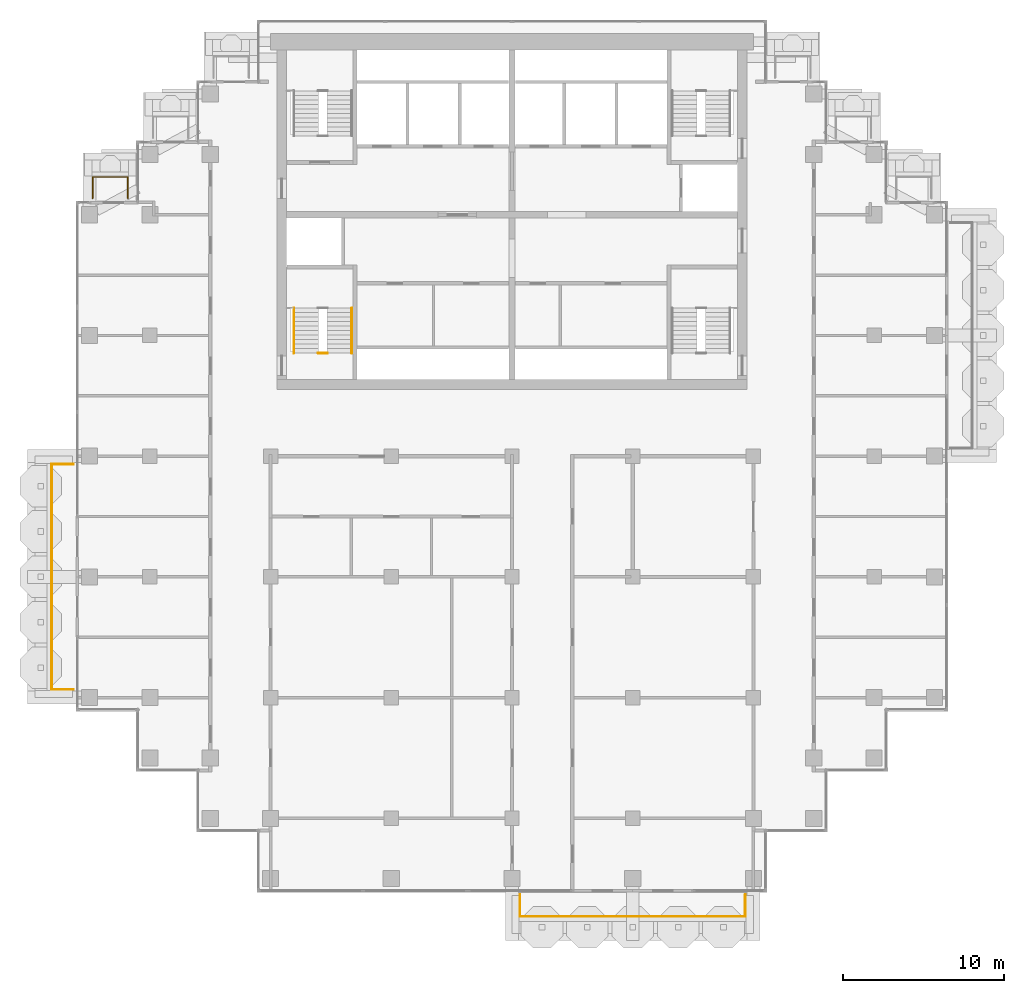
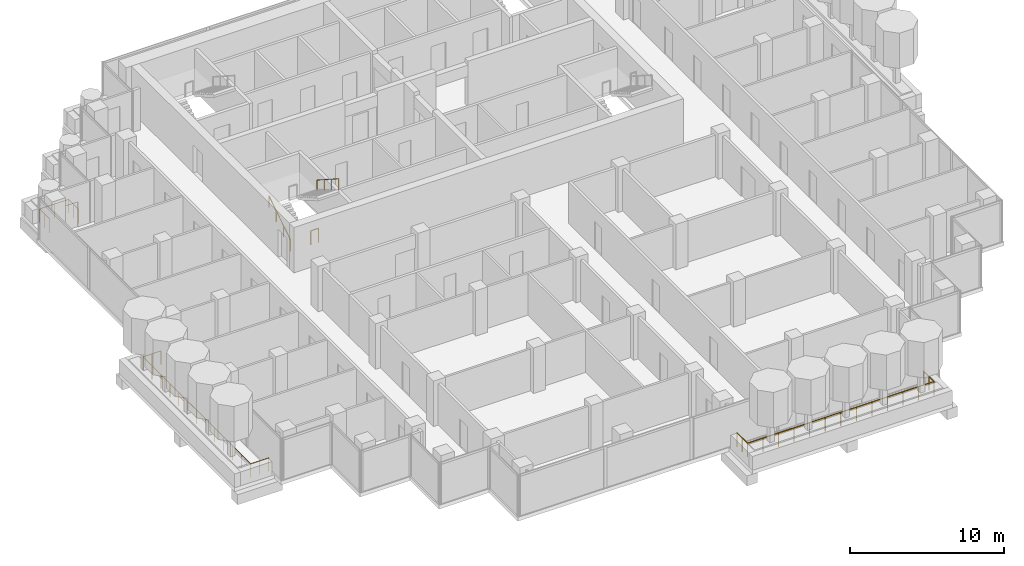
# One storey, part 16 of 19: 6 railings.
"""IFC4 building model written with IfcOpenShell, lengths in metres."""

from ifc_helpers import new_model, si_unit, direction, frame, origin, origin_2d, place, context, subcontext, project, spatial, circle, extrude, material, type_object, element, save


model = new_model("IFC4")

# Units and contexts
model_context = context("Model", 3, precision=1e-05, world=origin(), true_north=direction((0.0, 1.0)))
body_context = subcontext(model_context, "Body", "Model", "MODEL_VIEW")
ifc_project = project(units=[si_unit("LENGTHUNIT", "METRE"), si_unit("AREAUNIT", "SQUARE_METRE"), si_unit("VOLUMEUNIT", "CUBIC_METRE"), si_unit("PLANEANGLEUNIT", "RADIAN"), si_unit("MASSUNIT", "GRAM", prefix="KILO")], contexts=[model_context])

# Site, building, storey
site_placement = place(None, origin())
site = spatial("IfcSite", under=ifc_project, at=site_placement, CompositionType="ELEMENT")
building_placement = place(site_placement, origin())
building = spatial("IfcBuilding", under=site, at=building_placement, Name="Pilkhan Gate Tower", CompositionType="ELEMENT")
storey_placement = place(building_placement, frame((0.0, 0.0, 224.699951171875)))
storey = spatial("IfcBuildingStorey", under=building, at=storey_placement, Name="L58", CompositionType="ELEMENT", Elevation=224.699951171875)

# Railings
ifc_material_1 = material(Name="Pale anodised aluminium posts, laminated glass infill", Category="aluminium")
railing_type_1 = type_object("IfcRailingType", Name="Balcony guard G1", PredefinedType="BALUSTRADE", material=ifc_material_1)
railing_1_placement = place(storey_placement, frame((75.5, 40.25, 0.0)))
element("IfcRailing", 1, at=railing_1_placement, inside=storey, type_object=railing_type_1, Name="Balcony guard L58 S", PredefinedType="BALUSTRADE", context=body_context, shape_type="SweptSolid", body=[
    extrude(circle(Radius=0.02392578125, at=origin_2d()), frame((0.0, 0.0, 1.076171875), z_axis=(0.0, -1.0, 0.0), x_axis=(1.0, 0.0, 0.0)), (0.0, 0.0, 1.0), 1.35009765625),
    extrude(circle(Radius=0.02392578125, at=origin_2d()), frame((0.0, -1.35009765625, 1.076171875), z_axis=(1.0, 0.0, 0.0), x_axis=(0.0, 1.0, 0.0)), (0.0, 0.0, 1.0), 14.0),
    extrude(circle(Radius=0.02392578125, at=origin_2d()), frame((14.0, -1.35009765625, 1.076171875), z_axis=(0.0, 1.0, 0.0), x_axis=(-1.0, 0.0, 0.0)), (0.0, 0.0, 1.0), 1.35009765625),
    extrude(circle(Radius=0.02099609375, at=origin_2d()), origin(), (0.0, 0.0, 1.0), 1.052001953125),
    extrude(circle(Radius=0.02099609375, at=origin_2d()), frame((0.0, -0.675048828125, 0.0)), (0.0, 0.0, 1.0), 1.052001953125),
    extrude(circle(Radius=0.02099609375, at=origin_2d()), frame((0.0, -1.35009765625, 0.0)), (0.0, 0.0, 1.0), 1.052001953125),
    extrude(circle(Radius=0.02099609375, at=origin_2d()), frame((1.166748046875, -1.35009765625, 0.0)), (0.0, 0.0, 1.0), 1.052001953125),
    extrude(circle(Radius=0.02099609375, at=origin_2d()), frame((2.333251953125, -1.35009765625, 0.0)), (0.0, 0.0, 1.0), 1.052001953125),
    extrude(circle(Radius=0.02099609375, at=origin_2d()), frame((3.5, -1.35009765625, 0.0)), (0.0, 0.0, 1.0), 1.052001953125),
    extrude(circle(Radius=0.02099609375, at=origin_2d()), frame((4.666748046875, -1.35009765625, 0.0)), (0.0, 0.0, 1.0), 1.052001953125),
    extrude(circle(Radius=0.02099609375, at=origin_2d()), frame((5.833251953125, -1.35009765625, 0.0)), (0.0, 0.0, 1.0), 1.052001953125),
    extrude(circle(Radius=0.02099609375, at=origin_2d()), frame((7.0, -1.35009765625, 0.0)), (0.0, 0.0, 1.0), 1.052001953125),
    extrude(circle(Radius=0.02099609375, at=origin_2d()), frame((8.166748046875, -1.35009765625, 0.0)), (0.0, 0.0, 1.0), 1.052001953125),
    extrude(circle(Radius=0.02099609375, at=origin_2d()), frame((9.333251953125, -1.35009765625, 0.0)), (0.0, 0.0, 1.0), 1.052001953125),
    extrude(circle(Radius=0.02099609375, at=origin_2d()), frame((10.5, -1.35009765625, 0.0)), (0.0, 0.0, 1.0), 1.052001953125),
    extrude(circle(Radius=0.02099609375, at=origin_2d()), frame((11.666748046875, -1.35009765625, 0.0)), (0.0, 0.0, 1.0), 1.052001953125),
    extrude(circle(Radius=0.02099609375, at=origin_2d()), frame((12.833251953125, -1.35009765625, 0.0)), (0.0, 0.0, 1.0), 1.052001953125),
    extrude(circle(Radius=0.02099609375, at=origin_2d()), frame((14.0, -1.35009765625, 0.0)), (0.0, 0.0, 1.0), 1.052001953125),
    extrude(circle(Radius=0.02099609375, at=origin_2d()), frame((14.0, -0.675048828125, 0.0)), (0.0, 0.0, 1.0), 1.052001953125),
    extrude(circle(Radius=0.02099609375, at=origin_2d()), frame((14.0, 0.0, 0.0)), (0.0, 0.0, 1.0), 1.052001953125),
])
railing_2_placement = place(storey_placement, frame((48.949951171875, 83.52001953125, 0.0)))
element("IfcRailing", 2, at=railing_2_placement, inside=storey, type_object=railing_type_1, Name="Balcony guard L58 N", PredefinedType="BALUSTRADE", context=body_context, shape_type="SweptSolid", body=[
    extrude(circle(Radius=0.02392578125, at=origin_2d()), frame((0.0, 0.0, 1.076171875), z_axis=(0.0, 1.0, 0.0), x_axis=(-1.0, 0.0, 0.0)), (0.0, 0.0, 1.0), 1.330078125),
    extrude(circle(Radius=0.02392578125, at=origin_2d()), frame((0.0, 1.330078125, 1.076171875), z_axis=(1.0, 0.0, 0.0), x_axis=(0.0, 1.0, 0.0)), (0.0, 0.0, 1.0), 2.179931640625),
    extrude(circle(Radius=0.02392578125, at=origin_2d()), frame((2.179931640625, 1.330078125, 1.076171875), z_axis=(0.0, -1.0, 0.0), x_axis=(1.0, 0.0, 0.0)), (0.0, 0.0, 1.0), 1.330078125),
    extrude(circle(Radius=0.02099609375, at=origin_2d()), origin(), (0.0, 0.0, 1.0), 1.052001953125),
    extrude(circle(Radius=0.02099609375, at=origin_2d()), frame((0.0, 0.6650390625, 0.0)), (0.0, 0.0, 1.0), 1.052001953125),
    extrude(circle(Radius=0.02099609375, at=origin_2d()), frame((0.0, 1.330078125, 0.0)), (0.0, 0.0, 1.0), 1.052001953125),
    extrude(circle(Radius=0.02099609375, at=origin_2d()), frame((1.08984375, 1.330078125, 0.0)), (0.0, 0.0, 1.0), 1.052001953125),
    extrude(circle(Radius=0.02099609375, at=origin_2d()), frame((2.179931640625, 1.330078125, 0.0)), (0.0, 0.0, 1.0), 1.052001953125),
    extrude(circle(Radius=0.02099609375, at=origin_2d()), frame((2.179931640625, 0.6650390625, 0.0)), (0.0, 0.0, 1.0), 1.052001953125),
    extrude(circle(Radius=0.02099609375, at=origin_2d()), frame((2.179931640625, 0.0, 0.0)), (0.0, 0.0, 1.0), 1.052001953125),
])
railing_3_placement = place(storey_placement, frame((47.75, 53.0, 0.0)))
element("IfcRailing", 3, at=railing_3_placement, inside=storey, type_object=railing_type_1, Name="Balcony guard L58 W", PredefinedType="BALUSTRADE", context=body_context, shape_type="SweptSolid", body=[
    extrude(circle(Radius=0.02392578125, at=origin_2d()), frame((0.0, 0.0, 1.076171875), z_axis=(-1.0, 0.0, 0.0), x_axis=(0.0, -1.0, 0.0)), (0.0, 0.0, 1.0), 1.35009765625),
    extrude(circle(Radius=0.02392578125, at=origin_2d()), frame((-1.35009765625, 0.0, 1.076171875), z_axis=(0.0, 1.0, 0.0), x_axis=(-1.0, 0.0, 0.0)), (0.0, 0.0, 1.0), 14.0),
    extrude(circle(Radius=0.02392578125, at=origin_2d()), frame((-1.35009765625, 14.0, 1.076171875), z_axis=(1.0, 0.0, 0.0), x_axis=(0.0, 1.0, 0.0)), (0.0, 0.0, 1.0), 1.35009765625),
    extrude(circle(Radius=0.02099609375, at=origin_2d()), origin(), (0.0, 0.0, 1.0), 1.052001953125),
    extrude(circle(Radius=0.02099609375, at=origin_2d()), frame((-0.675048828125, 0.0, 0.0)), (0.0, 0.0, 1.0), 1.052001953125),
    extrude(circle(Radius=0.02099609375, at=origin_2d()), frame((-1.35009765625, 0.0, 0.0)), (0.0, 0.0, 1.0), 1.052001953125),
    extrude(circle(Radius=0.02099609375, at=origin_2d()), frame((-1.35009765625, 1.166748046875, 0.0)), (0.0, 0.0, 1.0), 1.052001953125),
    extrude(circle(Radius=0.02099609375, at=origin_2d()), frame((-1.35009765625, 2.333251953125, 0.0)), (0.0, 0.0, 1.0), 1.052001953125),
    extrude(circle(Radius=0.02099609375, at=origin_2d()), frame((-1.35009765625, 3.5, 0.0)), (0.0, 0.0, 1.0), 1.052001953125),
    extrude(circle(Radius=0.02099609375, at=origin_2d()), frame((-1.35009765625, 4.666748046875, 0.0)), (0.0, 0.0, 1.0), 1.052001953125),
    extrude(circle(Radius=0.02099609375, at=origin_2d()), frame((-1.35009765625, 5.833251953125, 0.0)), (0.0, 0.0, 1.0), 1.052001953125),
    extrude(circle(Radius=0.02099609375, at=origin_2d()), frame((-1.35009765625, 7.0, 0.0)), (0.0, 0.0, 1.0), 1.052001953125),
    extrude(circle(Radius=0.02099609375, at=origin_2d()), frame((-1.35009765625, 8.166748046875, 0.0)), (0.0, 0.0, 1.0), 1.052001953125),
    extrude(circle(Radius=0.02099609375, at=origin_2d()), frame((-1.35009765625, 9.333251953125, 0.0)), (0.0, 0.0, 1.0), 1.052001953125),
    extrude(circle(Radius=0.02099609375, at=origin_2d()), frame((-1.35009765625, 10.5, 0.0)), (0.0, 0.0, 1.0), 1.052001953125),
    extrude(circle(Radius=0.02099609375, at=origin_2d()), frame((-1.35009765625, 11.666748046875, 0.0)), (0.0, 0.0, 1.0), 1.052001953125),
    extrude(circle(Radius=0.02099609375, at=origin_2d()), frame((-1.35009765625, 12.833251953125, 0.0)), (0.0, 0.0, 1.0), 1.052001953125),
    extrude(circle(Radius=0.02099609375, at=origin_2d()), frame((-1.35009765625, 14.0, 0.0)), (0.0, 0.0, 1.0), 1.052001953125),
    extrude(circle(Radius=0.02099609375, at=origin_2d()), frame((-0.675048828125, 14.0, 0.0)), (0.0, 0.0, 1.0), 1.052001953125),
    extrude(circle(Radius=0.02099609375, at=origin_2d()), frame((0.0, 14.0, 0.0)), (0.0, 0.0, 1.0), 1.052001953125),
])
ifc_material_2 = material(Name="Black powder-coated steel tube", Category="steel")
railing_type_2 = type_object("IfcRailingType", Name="Stair handrail HR1", PredefinedType="HANDRAIL", material=ifc_material_2)
railing_4_placement = place(storey_placement, frame((61.449951171875, 73.89990234375, 0.0)))
element("IfcRailing", 4, at=railing_4_placement, inside=storey, type_object=railing_type_2, Name="Stair ST2 handrail L58", PredefinedType="HANDRAIL", context=body_context, shape_type="SweptSolid", body=[
    extrude(circle(Radius=0.02392578125, at=origin_2d()), frame((0.0, 0.0, 0.8759765625), z_axis=(0.0, 0.841176092368, 0.540761298198), x_axis=(-1.0, 0.0, 0.0)), (0.0, 0.0, 1.0), 3.32861328125),
    extrude(circle(Radius=0.02099609375, at=origin_2d()), origin(), (0.0, 0.0, 1.0), 0.851806640625),
    extrude(circle(Radius=0.02099609375, at=origin_2d()), frame((0.0, 0.933349609375, 0.60009765625)), (0.0, 0.0, 1.0), 0.851806640625),
    extrude(circle(Radius=0.02099609375, at=origin_2d()), frame((0.0, 1.86669921875, 1.199951171875)), (0.0, 0.0, 1.0), 0.851806640625),
    extrude(circle(Radius=0.02099609375, at=origin_2d()), frame((0.0, 2.800048828125, 1.800048828125)), (0.0, 0.0, 1.0), 0.851806640625),
])
railing_5_placement = place(storey_placement, frame((65.050048828125, 76.699951171875, 1.800048828125)))
element("IfcRailing", 5, at=railing_5_placement, inside=storey, type_object=railing_type_2, Name="Stair ST2 handrail L58", PredefinedType="HANDRAIL", context=body_context, shape_type="SweptSolid", body=[
    extrude(circle(Radius=0.02392578125, at=origin_2d()), frame((0.0, 0.0, 0.8759765625), z_axis=(0.0, -0.841176092368, 0.540761298198), x_axis=(1.0, 0.0, 0.0)), (0.0, 0.0, 1.0), 3.32861328125),
    extrude(circle(Radius=0.02099609375, at=origin_2d()), origin(), (0.0, 0.0, 1.0), 0.851806640625),
    extrude(circle(Radius=0.02099609375, at=origin_2d()), frame((0.0, -0.933349609375, 0.60009765625)), (0.0, 0.0, 1.0), 0.851806640625),
    extrude(circle(Radius=0.02099609375, at=origin_2d()), frame((0.0, -1.86669921875, 1.199951171875)), (0.0, 0.0, 1.0), 0.851806640625),
    extrude(circle(Radius=0.02099609375, at=origin_2d()), frame((0.0, -2.800048828125, 1.800048828125)), (0.0, 0.0, 1.0), 0.851806640625),
])
ifc_material_3 = material(Name="Black powder-coated steel balusters", Category="steel")
railing_type_3 = type_object("IfcRailingType", Name="Stair well guard G3", PredefinedType="GUARDRAIL", material=ifc_material_3)
railing_6_placement = place(storey_placement, frame((62.9599609375, 73.89990234375, 0.0)))
element("IfcRailing", 6, at=railing_6_placement, inside=storey, type_object=railing_type_3, Name="Stair ST2 well guard L58", PredefinedType="GUARDRAIL", context=body_context, shape_type="SweptSolid", body=[
    extrude(circle(Radius=0.02392578125, at=origin_2d()), frame((0.0, 0.0, 1.076171875), z_axis=(1.0, 0.0, 0.0), x_axis=(0.0, 1.0, 0.0)), (0.0, 0.0, 1.0), 0.580078125),
    extrude(circle(Radius=0.02099609375, at=origin_2d()), origin(), (0.0, 0.0, 1.0), 1.052001953125),
    extrude(circle(Radius=0.02099609375, at=origin_2d()), frame((0.580078125, 0.0, 0.0)), (0.0, 0.0, 1.0), 1.052001953125),
])

save(model, "model.ifc")
